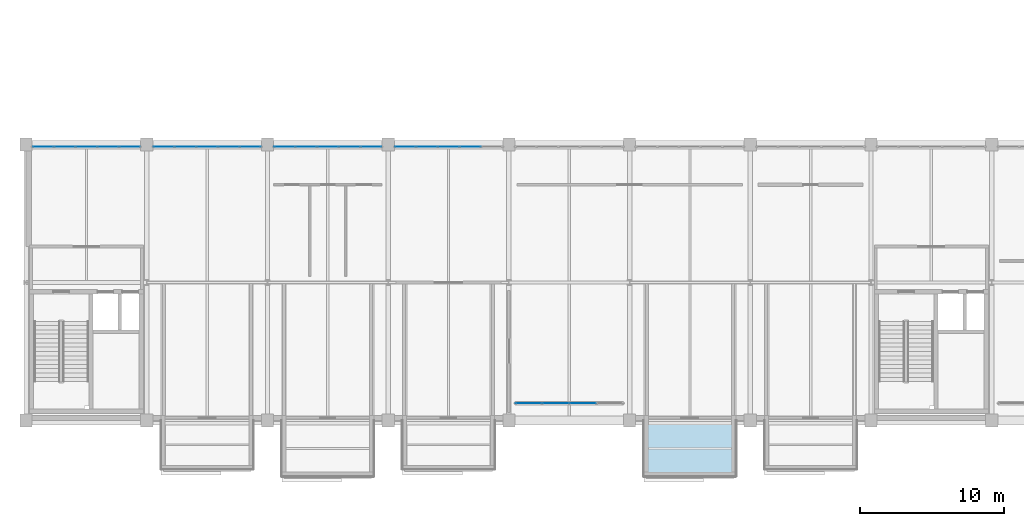
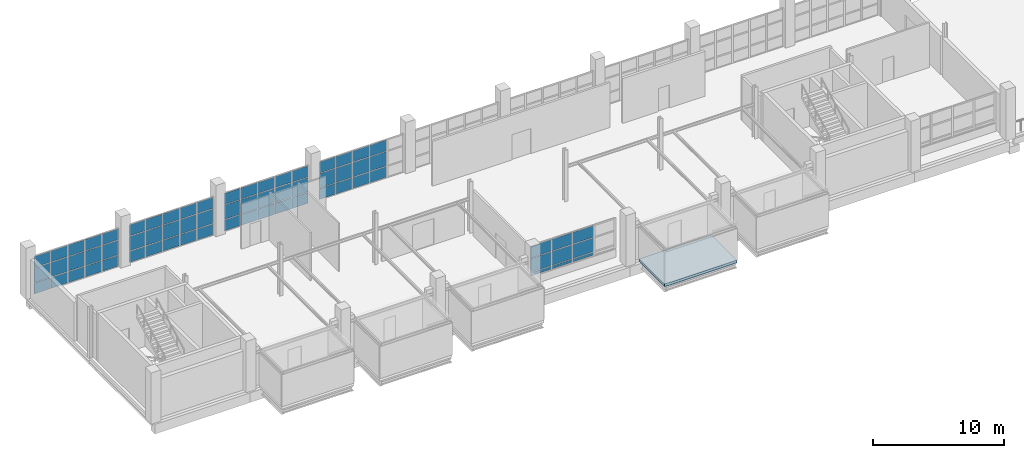
# One storey, part 21 of 29: 66 plates, 1 slab, 5 elements without a shape of their own.
"""IFC4 building model written with IfcOpenShell, lengths in metres."""

from ifc_helpers import new_model, si_unit, direction, frame, origin, origin_2d, place, context, subcontext, project, spatial, polyline, rectangle, outline, extrude, material, layer, layer_set, type_object, element, aggregate, save


model = new_model("IFC4")

# Units and contexts
model_context = context("Model", 3, precision=1e-05, world=origin(), true_north=direction((0.0, 1.0)))
body_context = subcontext(model_context, "Body", "Model", "MODEL_VIEW")
ifc_project = project(units=[si_unit("LENGTHUNIT", "METRE"), si_unit("AREAUNIT", "SQUARE_METRE"), si_unit("VOLUMEUNIT", "CUBIC_METRE"), si_unit("PLANEANGLEUNIT", "RADIAN"), si_unit("MASSUNIT", "GRAM", prefix="KILO")], contexts=[model_context])

# Site, building, storey
site_placement = place(None, origin())
site = spatial("IfcSite", under=ifc_project, at=site_placement, CompositionType="ELEMENT")
building_placement = place(site_placement, origin())
building = spatial("IfcBuilding", under=site, at=building_placement, Name="Veltarok Museum of Natural Sciences", CompositionType="ELEMENT")
storey_placement = place(building_placement, frame((0.0, 0.0, 26.39990234375)))
storey = spatial("IfcBuildingStorey", under=building, at=storey_placement, Name="L05", CompositionType="ELEMENT", Elevation=26.39990234375)

# Slab
ifc_material_1 = material(Name="Concrete C35/45", Category="concrete")
ifc_layer_1 = layer(ifc_material_1, 0.25)
ifc_layer_set_1 = layer_set([ifc_layer_1], Name="Concrete C35/45")
slab_type = type_object("IfcSlabType", Name="Suspended Museum Floor Slab 250", PredefinedType="FLOOR", material=ifc_layer_set_1)
slab_placement = place(storey_placement, frame((0.0, 0.0, -0.25)))
element("IfcSlab", 1, at=slab_placement, inside=storey, type_object=slab_type, Name="Cabinet Box Floor Slab DB-28", PredefinedType="FLOOR", context=body_context, shape_type="SweptSolid", body=[
    extrude(outline(polyline([(74.60009765625, -3.89990234375), (81.0, -3.89990234375), (81.0, 0.0), (74.60009765625, 0.0), (74.60009765625, -3.89990234375)])), origin(), (0.0, 0.0, 1.0), 0.25),
])

# Curtain wall, plates
ifc_material_2 = material(Name="Low-iron triple insulated glass", Category="glass")
curtain_wall_type_1 = type_object("IfcCurtainWallType", Name="Curtain Wall System CW-CAB-L05-A-755x288 (V1 Recessed L05 755x288cm)", PredefinedType="NOTDEFINED", material=ifc_material_2)
curtain_wall_1_placement = place(storey_placement, origin())
curtain_wall_1 = element("IfcCurtainWall", 2, at=curtain_wall_1_placement, inside=storey, type_object=curtain_wall_type_1, Name="Curtain Wall CW-CAB-L05-A-755x288 CW-0009", PredefinedType="NOTDEFINED")
ifc_layer_2 = layer(ifc_material_2, 0.028076171875)
ifc_layer_set_2 = layer_set([ifc_layer_2], Name="Low-iron triple insulated glass")
plate_type = type_object("IfcPlateType", Name="Triple Low-Iron Glazed Vision Panel 28", PredefinedType="CURTAIN_PANEL", material=ifc_layer_set_2)
plate_1_placement = place(storey_placement, frame((66.583740234375, 1.199951171875, 0.800048828125), z_axis=(0.0, 0.0, 1.0), x_axis=(1.0, 0.0, 0.0)))
plate_1 = element("IfcPlate", 3, at=plate_1_placement, type_object=plate_type, Name="CW-CAB-L05-A-755x288 panel 1.1", PredefinedType="CURTAIN_PANEL", context=body_context, shape_type="SweptSolid", body=[
    extrude(rectangle(XDim=1.797607421875, YDim=0.028076171875, at=origin_2d()), origin(), (0.0, 0.0, 1.0), 0.27001953125),
])
plate_2_placement = place(storey_placement, frame((66.583740234375, 1.199951171875, 1.130126953125), z_axis=(0.0, 0.0, 1.0), x_axis=(1.0, 0.0, 0.0)))
plate_2 = element("IfcPlate", 4, at=plate_2_placement, type_object=plate_type, Name="CW-CAB-L05-A-755x288 panel 1.2", PredefinedType="CURTAIN_PANEL", context=body_context, shape_type="SweptSolid", body=[
    extrude(rectangle(XDim=1.797607421875, YDim=0.028076171875, at=origin_2d()), origin(), (0.0, 0.0, 1.0), 1.2900390625),
])
plate_3_placement = place(storey_placement, frame((66.583740234375, 1.199951171875, 2.480224609375), z_axis=(0.0, 0.0, 1.0), x_axis=(1.0, 0.0, 0.0)))
plate_3 = element("IfcPlate", 5, at=plate_3_placement, type_object=plate_type, Name="CW-CAB-L05-A-755x288 panel 1.3", PredefinedType="CURTAIN_PANEL", context=body_context, shape_type="SweptSolid", body=[
    extrude(rectangle(XDim=1.797607421875, YDim=0.028076171875, at=origin_2d()), origin(), (0.0, 0.0, 1.0), 1.0849609375),
])
plate_4_placement = place(storey_placement, frame((68.456298828125, 1.199951171875, 0.800048828125), z_axis=(0.0, 0.0, 1.0), x_axis=(1.0, 0.0, 0.0)))
plate_4 = element("IfcPlate", 6, at=plate_4_placement, type_object=plate_type, Name="CW-CAB-L05-A-755x288 panel 2.1", PredefinedType="CURTAIN_PANEL", context=body_context, shape_type="SweptSolid", body=[
    extrude(rectangle(XDim=1.827392578125, YDim=0.028076171875, at=origin_2d()), origin(), (0.0, 0.0, 1.0), 0.27001953125),
])
plate_5_placement = place(storey_placement, frame((68.456298828125, 1.199951171875, 1.130126953125), z_axis=(0.0, 0.0, 1.0), x_axis=(1.0, 0.0, 0.0)))
plate_5 = element("IfcPlate", 7, at=plate_5_placement, type_object=plate_type, Name="CW-CAB-L05-A-755x288 panel 2.2", PredefinedType="CURTAIN_PANEL", context=body_context, shape_type="SweptSolid", body=[
    extrude(rectangle(XDim=1.827392578125, YDim=0.028076171875, at=origin_2d()), origin(), (0.0, 0.0, 1.0), 1.2900390625),
])
plate_6_placement = place(storey_placement, frame((68.456298828125, 1.199951171875, 2.480224609375), z_axis=(0.0, 0.0, 1.0), x_axis=(1.0, 0.0, 0.0)))
plate_6 = element("IfcPlate", 8, at=plate_6_placement, type_object=plate_type, Name="CW-CAB-L05-A-755x288 panel 2.3", PredefinedType="CURTAIN_PANEL", context=body_context, shape_type="SweptSolid", body=[
    extrude(rectangle(XDim=1.827392578125, YDim=0.028076171875, at=origin_2d()), origin(), (0.0, 0.0, 1.0), 1.0849609375),
])
plate_7_placement = place(storey_placement, frame((70.34375, 1.199951171875, 0.800048828125), z_axis=(0.0, 0.0, 1.0), x_axis=(1.0, 0.0, 0.0)))
plate_7 = element("IfcPlate", 9, at=plate_7_placement, type_object=plate_type, Name="CW-CAB-L05-A-755x288 panel 3.1", PredefinedType="CURTAIN_PANEL", context=body_context, shape_type="SweptSolid", body=[
    extrude(rectangle(XDim=1.827392578125, YDim=0.028076171875, at=origin_2d()), origin(), (0.0, 0.0, 1.0), 0.27001953125),
])
plate_8_placement = place(storey_placement, frame((70.34375, 1.199951171875, 1.130126953125), z_axis=(0.0, 0.0, 1.0), x_axis=(1.0, 0.0, 0.0)))
plate_8 = element("IfcPlate", 10, at=plate_8_placement, type_object=plate_type, Name="CW-CAB-L05-A-755x288 panel 3.2", PredefinedType="CURTAIN_PANEL", context=body_context, shape_type="SweptSolid", body=[
    extrude(rectangle(XDim=1.827392578125, YDim=0.028076171875, at=origin_2d()), origin(), (0.0, 0.0, 1.0), 1.2900390625),
])
plate_9_placement = place(storey_placement, frame((70.34375, 1.199951171875, 2.480224609375), z_axis=(0.0, 0.0, 1.0), x_axis=(1.0, 0.0, 0.0)))
plate_9 = element("IfcPlate", 11, at=plate_9_placement, type_object=plate_type, Name="CW-CAB-L05-A-755x288 panel 3.3", PredefinedType="CURTAIN_PANEL", context=body_context, shape_type="SweptSolid", body=[
    extrude(rectangle(XDim=1.827392578125, YDim=0.028076171875, at=origin_2d()), origin(), (0.0, 0.0, 1.0), 1.0849609375),
])
aggregate(curtain_wall_1, [plate_1, plate_2, plate_3, plate_4, plate_5, plate_6, plate_7, plate_8, plate_9])

curtain_wall_type_2 = type_object("IfcCurtainWallType", Name="Curtain Wall System CW-V1N-L05-755x362 (V1 North Overlook L05 755x362cm)", PredefinedType="NOTDEFINED", material=ifc_material_2)
curtain_wall_2_placement = place(storey_placement, origin())
curtain_wall_2 = element("IfcCurtainWall", 12, at=curtain_wall_2_placement, inside=storey, type_object=curtain_wall_type_2, Name="Curtain Wall CW-V1N-L05-755x362 CW-0011", PredefinedType="NOTDEFINED")
plate_10_placement = place(storey_placement, frame((38.804931640625, 19.050048828125, 0.06005859375), z_axis=(0.0, 0.0, 1.0), x_axis=(-1.0, 0.0, 0.0)))
plate_10 = element("IfcPlate", 13, at=plate_10_placement, type_object=plate_type, Name="CW-V1N-L05-755x362 panel 1.1", PredefinedType="CURTAIN_PANEL", context=body_context, shape_type="SweptSolid", body=[
    extrude(rectangle(XDim=1.419921875, YDim=0.028076171875, at=origin_2d()), origin(), (0.0, 0.0, 1.0), 1.010009765625),
])
plate_11_placement = place(storey_placement, frame((38.804931640625, 19.050048828125, 1.1298828125), z_axis=(0.0, 0.0, 1.0), x_axis=(-1.0, 0.0, 0.0)))
plate_11 = element("IfcPlate", 14, at=plate_11_placement, type_object=plate_type, Name="CW-V1N-L05-755x362 panel 1.2", PredefinedType="CURTAIN_PANEL", context=body_context, shape_type="SweptSolid", body=[
    extrude(rectangle(XDim=1.419921875, YDim=0.028076171875, at=origin_2d()), origin(), (0.0, 0.0, 1.0), 1.340087890625),
])
plate_12_placement = place(storey_placement, frame((38.804931640625, 19.050048828125, 2.5302734375), z_axis=(0.0, 0.0, 1.0), x_axis=(-1.0, 0.0, 0.0)))
plate_12 = element("IfcPlate", 15, at=plate_12_placement, type_object=plate_type, Name="CW-V1N-L05-755x362 panel 1.3", PredefinedType="CURTAIN_PANEL", context=body_context, shape_type="SweptSolid", body=[
    extrude(rectangle(XDim=1.419921875, YDim=0.028076171875, at=origin_2d()), origin(), (0.0, 0.0, 1.0), 1.030029296875),
])
plate_13_placement = place(storey_placement, frame((37.31005859375, 19.050048828125, 0.06005859375), z_axis=(0.0, 0.0, 1.0), x_axis=(-1.0, 0.0, 0.0)))
plate_13 = element("IfcPlate", 16, at=plate_13_placement, type_object=plate_type, Name="CW-V1N-L05-755x362 panel 2.1", PredefinedType="CURTAIN_PANEL", context=body_context, shape_type="SweptSolid", body=[
    extrude(rectangle(XDim=1.449951171875, YDim=0.028076171875, at=origin_2d()), origin(), (0.0, 0.0, 1.0), 1.010009765625),
])
plate_14_placement = place(storey_placement, frame((37.31005859375, 19.050048828125, 1.1298828125), z_axis=(0.0, 0.0, 1.0), x_axis=(-1.0, 0.0, 0.0)))
plate_14 = element("IfcPlate", 17, at=plate_14_placement, type_object=plate_type, Name="CW-V1N-L05-755x362 panel 2.2", PredefinedType="CURTAIN_PANEL", context=body_context, shape_type="SweptSolid", body=[
    extrude(rectangle(XDim=1.449951171875, YDim=0.028076171875, at=origin_2d()), origin(), (0.0, 0.0, 1.0), 1.340087890625),
])
plate_15_placement = place(storey_placement, frame((37.31005859375, 19.050048828125, 2.5302734375), z_axis=(0.0, 0.0, 1.0), x_axis=(-1.0, 0.0, 0.0)))
plate_15 = element("IfcPlate", 18, at=plate_15_placement, type_object=plate_type, Name="CW-V1N-L05-755x362 panel 2.3", PredefinedType="CURTAIN_PANEL", context=body_context, shape_type="SweptSolid", body=[
    extrude(rectangle(XDim=1.449951171875, YDim=0.028076171875, at=origin_2d()), origin(), (0.0, 0.0, 1.0), 1.030029296875),
])
plate_16_placement = place(storey_placement, frame((35.800048828125, 19.050048828125, 0.06005859375), z_axis=(0.0, 0.0, 1.0), x_axis=(-1.0, 0.0, 0.0)))
plate_16 = element("IfcPlate", 19, at=plate_16_placement, type_object=plate_type, Name="CW-V1N-L05-755x362 panel 3.1", PredefinedType="CURTAIN_PANEL", context=body_context, shape_type="SweptSolid", body=[
    extrude(rectangle(XDim=1.449951171875, YDim=0.028076171875, at=origin_2d()), origin(), (0.0, 0.0, 1.0), 1.010009765625),
])
plate_17_placement = place(storey_placement, frame((35.800048828125, 19.050048828125, 1.1298828125), z_axis=(0.0, 0.0, 1.0), x_axis=(-1.0, 0.0, 0.0)))
plate_17 = element("IfcPlate", 20, at=plate_17_placement, type_object=plate_type, Name="CW-V1N-L05-755x362 panel 3.2", PredefinedType="CURTAIN_PANEL", context=body_context, shape_type="SweptSolid", body=[
    extrude(rectangle(XDim=1.449951171875, YDim=0.028076171875, at=origin_2d()), origin(), (0.0, 0.0, 1.0), 1.340087890625),
])
plate_18_placement = place(storey_placement, frame((35.800048828125, 19.050048828125, 2.5302734375), z_axis=(0.0, 0.0, 1.0), x_axis=(-1.0, 0.0, 0.0)))
plate_18 = element("IfcPlate", 21, at=plate_18_placement, type_object=plate_type, Name="CW-V1N-L05-755x362 panel 3.3", PredefinedType="CURTAIN_PANEL", context=body_context, shape_type="SweptSolid", body=[
    extrude(rectangle(XDim=1.449951171875, YDim=0.028076171875, at=origin_2d()), origin(), (0.0, 0.0, 1.0), 1.030029296875),
])
plate_19_placement = place(storey_placement, frame((34.2900390625, 19.050048828125, 0.06005859375), z_axis=(0.0, 0.0, 1.0), x_axis=(-1.0, 0.0, 0.0)))
plate_19 = element("IfcPlate", 22, at=plate_19_placement, type_object=plate_type, Name="CW-V1N-L05-755x362 panel 4.1", PredefinedType="CURTAIN_PANEL", context=body_context, shape_type="SweptSolid", body=[
    extrude(rectangle(XDim=1.449951171875, YDim=0.028076171875, at=origin_2d()), origin(), (0.0, 0.0, 1.0), 1.010009765625),
])
plate_20_placement = place(storey_placement, frame((34.2900390625, 19.050048828125, 1.1298828125), z_axis=(0.0, 0.0, 1.0), x_axis=(-1.0, 0.0, 0.0)))
plate_20 = element("IfcPlate", 23, at=plate_20_placement, type_object=plate_type, Name="CW-V1N-L05-755x362 panel 4.2", PredefinedType="CURTAIN_PANEL", context=body_context, shape_type="SweptSolid", body=[
    extrude(rectangle(XDim=1.449951171875, YDim=0.028076171875, at=origin_2d()), origin(), (0.0, 0.0, 1.0), 1.340087890625),
])
plate_21_placement = place(storey_placement, frame((34.2900390625, 19.050048828125, 2.5302734375), z_axis=(0.0, 0.0, 1.0), x_axis=(-1.0, 0.0, 0.0)))
plate_21 = element("IfcPlate", 24, at=plate_21_placement, type_object=plate_type, Name="CW-V1N-L05-755x362 panel 4.3", PredefinedType="CURTAIN_PANEL", context=body_context, shape_type="SweptSolid", body=[
    extrude(rectangle(XDim=1.449951171875, YDim=0.028076171875, at=origin_2d()), origin(), (0.0, 0.0, 1.0), 1.030029296875),
])
plate_22_placement = place(storey_placement, frame((32.794921875, 19.050048828125, 0.06005859375), z_axis=(0.0, 0.0, 1.0), x_axis=(-1.0, 0.0, 0.0)))
plate_22 = element("IfcPlate", 25, at=plate_22_placement, type_object=plate_type, Name="CW-V1N-L05-755x362 panel 5.1", PredefinedType="CURTAIN_PANEL", context=body_context, shape_type="SweptSolid", body=[
    extrude(rectangle(XDim=1.419921875, YDim=0.028076171875, at=origin_2d()), origin(), (0.0, 0.0, 1.0), 1.010009765625),
])
plate_23_placement = place(storey_placement, frame((32.794921875, 19.050048828125, 1.1298828125), z_axis=(0.0, 0.0, 1.0), x_axis=(-1.0, 0.0, 0.0)))
plate_23 = element("IfcPlate", 26, at=plate_23_placement, type_object=plate_type, Name="CW-V1N-L05-755x362 panel 5.2", PredefinedType="CURTAIN_PANEL", context=body_context, shape_type="SweptSolid", body=[
    extrude(rectangle(XDim=1.419921875, YDim=0.028076171875, at=origin_2d()), origin(), (0.0, 0.0, 1.0), 1.340087890625),
])
plate_24_placement = place(storey_placement, frame((32.794921875, 19.050048828125, 2.5302734375), z_axis=(0.0, 0.0, 1.0), x_axis=(-1.0, 0.0, 0.0)))
plate_24 = element("IfcPlate", 27, at=plate_24_placement, type_object=plate_type, Name="CW-V1N-L05-755x362 panel 5.3", PredefinedType="CURTAIN_PANEL", context=body_context, shape_type="SweptSolid", body=[
    extrude(rectangle(XDim=1.419921875, YDim=0.028076171875, at=origin_2d()), origin(), (0.0, 0.0, 1.0), 1.030029296875),
])
aggregate(curtain_wall_2, [plate_10, plate_11, plate_12, plate_13, plate_14, plate_15, plate_16, plate_17, plate_18, plate_19, plate_20, plate_21, plate_22, plate_23, plate_24])

curtain_wall_3_placement = place(storey_placement, origin())
curtain_wall_3 = element("IfcCurtainWall", 28, at=curtain_wall_3_placement, inside=storey, type_object=curtain_wall_type_2, Name="Curtain Wall CW-V1N-L05-755x362 CW-0012", PredefinedType="NOTDEFINED")
plate_25_placement = place(storey_placement, frame((47.205078125, 19.050048828125, 0.06005859375), z_axis=(0.0, 0.0, 1.0), x_axis=(-1.0, 0.0, 0.0)))
plate_25 = element("IfcPlate", 29, at=plate_25_placement, type_object=plate_type, Name="CW-V1N-L05-755x362 panel 1.1", PredefinedType="CURTAIN_PANEL", context=body_context, shape_type="SweptSolid", body=[
    extrude(rectangle(XDim=1.419921875, YDim=0.028076171875, at=origin_2d()), origin(), (0.0, 0.0, 1.0), 1.010009765625),
])
plate_26_placement = place(storey_placement, frame((47.205078125, 19.050048828125, 1.1298828125), z_axis=(0.0, 0.0, 1.0), x_axis=(-1.0, 0.0, 0.0)))
plate_26 = element("IfcPlate", 30, at=plate_26_placement, type_object=plate_type, Name="CW-V1N-L05-755x362 panel 1.2", PredefinedType="CURTAIN_PANEL", context=body_context, shape_type="SweptSolid", body=[
    extrude(rectangle(XDim=1.419921875, YDim=0.028076171875, at=origin_2d()), origin(), (0.0, 0.0, 1.0), 1.340087890625),
])
plate_27_placement = place(storey_placement, frame((47.205078125, 19.050048828125, 2.5302734375), z_axis=(0.0, 0.0, 1.0), x_axis=(-1.0, 0.0, 0.0)))
plate_27 = element("IfcPlate", 31, at=plate_27_placement, type_object=plate_type, Name="CW-V1N-L05-755x362 panel 1.3", PredefinedType="CURTAIN_PANEL", context=body_context, shape_type="SweptSolid", body=[
    extrude(rectangle(XDim=1.419921875, YDim=0.028076171875, at=origin_2d()), origin(), (0.0, 0.0, 1.0), 1.030029296875),
])
plate_28_placement = place(storey_placement, frame((45.7099609375, 19.050048828125, 0.06005859375), z_axis=(0.0, 0.0, 1.0), x_axis=(-1.0, 0.0, 0.0)))
plate_28 = element("IfcPlate", 32, at=plate_28_placement, type_object=plate_type, Name="CW-V1N-L05-755x362 panel 2.1", PredefinedType="CURTAIN_PANEL", context=body_context, shape_type="SweptSolid", body=[
    extrude(rectangle(XDim=1.449951171875, YDim=0.028076171875, at=origin_2d()), origin(), (0.0, 0.0, 1.0), 1.010009765625),
])
plate_29_placement = place(storey_placement, frame((45.7099609375, 19.050048828125, 1.1298828125), z_axis=(0.0, 0.0, 1.0), x_axis=(-1.0, 0.0, 0.0)))
plate_29 = element("IfcPlate", 33, at=plate_29_placement, type_object=plate_type, Name="CW-V1N-L05-755x362 panel 2.2", PredefinedType="CURTAIN_PANEL", context=body_context, shape_type="SweptSolid", body=[
    extrude(rectangle(XDim=1.449951171875, YDim=0.028076171875, at=origin_2d()), origin(), (0.0, 0.0, 1.0), 1.340087890625),
])
plate_30_placement = place(storey_placement, frame((45.7099609375, 19.050048828125, 2.5302734375), z_axis=(0.0, 0.0, 1.0), x_axis=(-1.0, 0.0, 0.0)))
plate_30 = element("IfcPlate", 34, at=plate_30_placement, type_object=plate_type, Name="CW-V1N-L05-755x362 panel 2.3", PredefinedType="CURTAIN_PANEL", context=body_context, shape_type="SweptSolid", body=[
    extrude(rectangle(XDim=1.449951171875, YDim=0.028076171875, at=origin_2d()), origin(), (0.0, 0.0, 1.0), 1.030029296875),
])
plate_31_placement = place(storey_placement, frame((44.199951171875, 19.050048828125, 0.06005859375), z_axis=(0.0, 0.0, 1.0), x_axis=(-1.0, 0.0, 0.0)))
plate_31 = element("IfcPlate", 35, at=plate_31_placement, type_object=plate_type, Name="CW-V1N-L05-755x362 panel 3.1", PredefinedType="CURTAIN_PANEL", context=body_context, shape_type="SweptSolid", body=[
    extrude(rectangle(XDim=1.449951171875, YDim=0.028076171875, at=origin_2d()), origin(), (0.0, 0.0, 1.0), 1.010009765625),
])
plate_32_placement = place(storey_placement, frame((44.199951171875, 19.050048828125, 1.1298828125), z_axis=(0.0, 0.0, 1.0), x_axis=(-1.0, 0.0, 0.0)))
plate_32 = element("IfcPlate", 36, at=plate_32_placement, type_object=plate_type, Name="CW-V1N-L05-755x362 panel 3.2", PredefinedType="CURTAIN_PANEL", context=body_context, shape_type="SweptSolid", body=[
    extrude(rectangle(XDim=1.449951171875, YDim=0.028076171875, at=origin_2d()), origin(), (0.0, 0.0, 1.0), 1.340087890625),
])
plate_33_placement = place(storey_placement, frame((44.199951171875, 19.050048828125, 2.5302734375), z_axis=(0.0, 0.0, 1.0), x_axis=(-1.0, 0.0, 0.0)))
plate_33 = element("IfcPlate", 37, at=plate_33_placement, type_object=plate_type, Name="CW-V1N-L05-755x362 panel 3.3", PredefinedType="CURTAIN_PANEL", context=body_context, shape_type="SweptSolid", body=[
    extrude(rectangle(XDim=1.449951171875, YDim=0.028076171875, at=origin_2d()), origin(), (0.0, 0.0, 1.0), 1.030029296875),
])
plate_34_placement = place(storey_placement, frame((42.68994140625, 19.050048828125, 0.06005859375), z_axis=(0.0, 0.0, 1.0), x_axis=(-1.0, 0.0, 0.0)))
plate_34 = element("IfcPlate", 38, at=plate_34_placement, type_object=plate_type, Name="CW-V1N-L05-755x362 panel 4.1", PredefinedType="CURTAIN_PANEL", context=body_context, shape_type="SweptSolid", body=[
    extrude(rectangle(XDim=1.449951171875, YDim=0.028076171875, at=origin_2d()), origin(), (0.0, 0.0, 1.0), 1.010009765625),
])
plate_35_placement = place(storey_placement, frame((42.68994140625, 19.050048828125, 1.1298828125), z_axis=(0.0, 0.0, 1.0), x_axis=(-1.0, 0.0, 0.0)))
plate_35 = element("IfcPlate", 39, at=plate_35_placement, type_object=plate_type, Name="CW-V1N-L05-755x362 panel 4.2", PredefinedType="CURTAIN_PANEL", context=body_context, shape_type="SweptSolid", body=[
    extrude(rectangle(XDim=1.449951171875, YDim=0.028076171875, at=origin_2d()), origin(), (0.0, 0.0, 1.0), 1.340087890625),
])
plate_36_placement = place(storey_placement, frame((42.68994140625, 19.050048828125, 2.5302734375), z_axis=(0.0, 0.0, 1.0), x_axis=(-1.0, 0.0, 0.0)))
plate_36 = element("IfcPlate", 40, at=plate_36_placement, type_object=plate_type, Name="CW-V1N-L05-755x362 panel 4.3", PredefinedType="CURTAIN_PANEL", context=body_context, shape_type="SweptSolid", body=[
    extrude(rectangle(XDim=1.449951171875, YDim=0.028076171875, at=origin_2d()), origin(), (0.0, 0.0, 1.0), 1.030029296875),
])
plate_37_placement = place(storey_placement, frame((41.195068359375, 19.050048828125, 0.06005859375), z_axis=(0.0, 0.0, 1.0), x_axis=(-1.0, 0.0, 0.0)))
plate_37 = element("IfcPlate", 41, at=plate_37_placement, type_object=plate_type, Name="CW-V1N-L05-755x362 panel 5.1", PredefinedType="CURTAIN_PANEL", context=body_context, shape_type="SweptSolid", body=[
    extrude(rectangle(XDim=1.419921875, YDim=0.028076171875, at=origin_2d()), origin(), (0.0, 0.0, 1.0), 1.010009765625),
])
plate_38_placement = place(storey_placement, frame((41.195068359375, 19.050048828125, 1.1298828125), z_axis=(0.0, 0.0, 1.0), x_axis=(-1.0, 0.0, 0.0)))
plate_38 = element("IfcPlate", 42, at=plate_38_placement, type_object=plate_type, Name="CW-V1N-L05-755x362 panel 5.2", PredefinedType="CURTAIN_PANEL", context=body_context, shape_type="SweptSolid", body=[
    extrude(rectangle(XDim=1.419921875, YDim=0.028076171875, at=origin_2d()), origin(), (0.0, 0.0, 1.0), 1.340087890625),
])
plate_39_placement = place(storey_placement, frame((41.195068359375, 19.050048828125, 2.5302734375), z_axis=(0.0, 0.0, 1.0), x_axis=(-1.0, 0.0, 0.0)))
plate_39 = element("IfcPlate", 43, at=plate_39_placement, type_object=plate_type, Name="CW-V1N-L05-755x362 panel 5.3", PredefinedType="CURTAIN_PANEL", context=body_context, shape_type="SweptSolid", body=[
    extrude(rectangle(XDim=1.419921875, YDim=0.028076171875, at=origin_2d()), origin(), (0.0, 0.0, 1.0), 1.030029296875),
])
aggregate(curtain_wall_3, [plate_25, plate_26, plate_27, plate_28, plate_29, plate_30, plate_31, plate_32, plate_33, plate_34, plate_35, plate_36, plate_37, plate_38, plate_39])

curtain_wall_4_placement = place(storey_placement, origin())
curtain_wall_4 = element("IfcCurtainWall", 44, at=curtain_wall_4_placement, inside=storey, type_object=curtain_wall_type_2, Name="Curtain Wall CW-V1N-L05-755x362 CW-0013", PredefinedType="NOTDEFINED")
plate_40_placement = place(storey_placement, frame((55.60498046875, 19.050048828125, 0.06005859375), z_axis=(0.0, 0.0, 1.0), x_axis=(-1.0, 0.0, 0.0)))
plate_40 = element("IfcPlate", 45, at=plate_40_placement, type_object=plate_type, Name="CW-V1N-L05-755x362 panel 1.1", PredefinedType="CURTAIN_PANEL", context=body_context, shape_type="SweptSolid", body=[
    extrude(rectangle(XDim=1.419921875, YDim=0.028076171875, at=origin_2d()), origin(), (0.0, 0.0, 1.0), 1.010009765625),
])
plate_41_placement = place(storey_placement, frame((55.60498046875, 19.050048828125, 1.1298828125), z_axis=(0.0, 0.0, 1.0), x_axis=(-1.0, 0.0, 0.0)))
plate_41 = element("IfcPlate", 46, at=plate_41_placement, type_object=plate_type, Name="CW-V1N-L05-755x362 panel 1.2", PredefinedType="CURTAIN_PANEL", context=body_context, shape_type="SweptSolid", body=[
    extrude(rectangle(XDim=1.419921875, YDim=0.028076171875, at=origin_2d()), origin(), (0.0, 0.0, 1.0), 1.340087890625),
])
plate_42_placement = place(storey_placement, frame((55.60498046875, 19.050048828125, 2.5302734375), z_axis=(0.0, 0.0, 1.0), x_axis=(-1.0, 0.0, 0.0)))
plate_42 = element("IfcPlate", 47, at=plate_42_placement, type_object=plate_type, Name="CW-V1N-L05-755x362 panel 1.3", PredefinedType="CURTAIN_PANEL", context=body_context, shape_type="SweptSolid", body=[
    extrude(rectangle(XDim=1.419921875, YDim=0.028076171875, at=origin_2d()), origin(), (0.0, 0.0, 1.0), 1.030029296875),
])
plate_43_placement = place(storey_placement, frame((54.110107421875, 19.050048828125, 0.06005859375), z_axis=(0.0, 0.0, 1.0), x_axis=(-1.0, 0.0, 0.0)))
plate_43 = element("IfcPlate", 48, at=plate_43_placement, type_object=plate_type, Name="CW-V1N-L05-755x362 panel 2.1", PredefinedType="CURTAIN_PANEL", context=body_context, shape_type="SweptSolid", body=[
    extrude(rectangle(XDim=1.449951171875, YDim=0.028076171875, at=origin_2d()), origin(), (0.0, 0.0, 1.0), 1.010009765625),
])
plate_44_placement = place(storey_placement, frame((54.110107421875, 19.050048828125, 1.1298828125), z_axis=(0.0, 0.0, 1.0), x_axis=(-1.0, 0.0, 0.0)))
plate_44 = element("IfcPlate", 49, at=plate_44_placement, type_object=plate_type, Name="CW-V1N-L05-755x362 panel 2.2", PredefinedType="CURTAIN_PANEL", context=body_context, shape_type="SweptSolid", body=[
    extrude(rectangle(XDim=1.449951171875, YDim=0.028076171875, at=origin_2d()), origin(), (0.0, 0.0, 1.0), 1.340087890625),
])
plate_45_placement = place(storey_placement, frame((54.110107421875, 19.050048828125, 2.5302734375), z_axis=(0.0, 0.0, 1.0), x_axis=(-1.0, 0.0, 0.0)))
plate_45 = element("IfcPlate", 50, at=plate_45_placement, type_object=plate_type, Name="CW-V1N-L05-755x362 panel 2.3", PredefinedType="CURTAIN_PANEL", context=body_context, shape_type="SweptSolid", body=[
    extrude(rectangle(XDim=1.449951171875, YDim=0.028076171875, at=origin_2d()), origin(), (0.0, 0.0, 1.0), 1.030029296875),
])
plate_46_placement = place(storey_placement, frame((52.60009765625, 19.050048828125, 0.06005859375), z_axis=(0.0, 0.0, 1.0), x_axis=(-1.0, 0.0, 0.0)))
plate_46 = element("IfcPlate", 51, at=plate_46_placement, type_object=plate_type, Name="CW-V1N-L05-755x362 panel 3.1", PredefinedType="CURTAIN_PANEL", context=body_context, shape_type="SweptSolid", body=[
    extrude(rectangle(XDim=1.449951171875, YDim=0.028076171875, at=origin_2d()), origin(), (0.0, 0.0, 1.0), 1.010009765625),
])
plate_47_placement = place(storey_placement, frame((52.60009765625, 19.050048828125, 1.1298828125), z_axis=(0.0, 0.0, 1.0), x_axis=(-1.0, 0.0, 0.0)))
plate_47 = element("IfcPlate", 52, at=plate_47_placement, type_object=plate_type, Name="CW-V1N-L05-755x362 panel 3.2", PredefinedType="CURTAIN_PANEL", context=body_context, shape_type="SweptSolid", body=[
    extrude(rectangle(XDim=1.449951171875, YDim=0.028076171875, at=origin_2d()), origin(), (0.0, 0.0, 1.0), 1.340087890625),
])
plate_48_placement = place(storey_placement, frame((52.60009765625, 19.050048828125, 2.5302734375), z_axis=(0.0, 0.0, 1.0), x_axis=(-1.0, 0.0, 0.0)))
plate_48 = element("IfcPlate", 53, at=plate_48_placement, type_object=plate_type, Name="CW-V1N-L05-755x362 panel 3.3", PredefinedType="CURTAIN_PANEL", context=body_context, shape_type="SweptSolid", body=[
    extrude(rectangle(XDim=1.449951171875, YDim=0.028076171875, at=origin_2d()), origin(), (0.0, 0.0, 1.0), 1.030029296875),
])
plate_49_placement = place(storey_placement, frame((51.090087890625, 19.050048828125, 0.06005859375), z_axis=(0.0, 0.0, 1.0), x_axis=(-1.0, 0.0, 0.0)))
plate_49 = element("IfcPlate", 54, at=plate_49_placement, type_object=plate_type, Name="CW-V1N-L05-755x362 panel 4.1", PredefinedType="CURTAIN_PANEL", context=body_context, shape_type="SweptSolid", body=[
    extrude(rectangle(XDim=1.449951171875, YDim=0.028076171875, at=origin_2d()), origin(), (0.0, 0.0, 1.0), 1.010009765625),
])
plate_50_placement = place(storey_placement, frame((51.090087890625, 19.050048828125, 1.1298828125), z_axis=(0.0, 0.0, 1.0), x_axis=(-1.0, 0.0, 0.0)))
plate_50 = element("IfcPlate", 55, at=plate_50_placement, type_object=plate_type, Name="CW-V1N-L05-755x362 panel 4.2", PredefinedType="CURTAIN_PANEL", context=body_context, shape_type="SweptSolid", body=[
    extrude(rectangle(XDim=1.449951171875, YDim=0.028076171875, at=origin_2d()), origin(), (0.0, 0.0, 1.0), 1.340087890625),
])
plate_51_placement = place(storey_placement, frame((51.090087890625, 19.050048828125, 2.5302734375), z_axis=(0.0, 0.0, 1.0), x_axis=(-1.0, 0.0, 0.0)))
plate_51 = element("IfcPlate", 56, at=plate_51_placement, type_object=plate_type, Name="CW-V1N-L05-755x362 panel 4.3", PredefinedType="CURTAIN_PANEL", context=body_context, shape_type="SweptSolid", body=[
    extrude(rectangle(XDim=1.449951171875, YDim=0.028076171875, at=origin_2d()), origin(), (0.0, 0.0, 1.0), 1.030029296875),
])
plate_52_placement = place(storey_placement, frame((49.594970703125, 19.050048828125, 0.06005859375), z_axis=(0.0, 0.0, 1.0), x_axis=(-1.0, 0.0, 0.0)))
plate_52 = element("IfcPlate", 57, at=plate_52_placement, type_object=plate_type, Name="CW-V1N-L05-755x362 panel 5.1", PredefinedType="CURTAIN_PANEL", context=body_context, shape_type="SweptSolid", body=[
    extrude(rectangle(XDim=1.419921875, YDim=0.028076171875, at=origin_2d()), origin(), (0.0, 0.0, 1.0), 1.010009765625),
])
plate_53_placement = place(storey_placement, frame((49.594970703125, 19.050048828125, 1.1298828125), z_axis=(0.0, 0.0, 1.0), x_axis=(-1.0, 0.0, 0.0)))
plate_53 = element("IfcPlate", 58, at=plate_53_placement, type_object=plate_type, Name="CW-V1N-L05-755x362 panel 5.2", PredefinedType="CURTAIN_PANEL", context=body_context, shape_type="SweptSolid", body=[
    extrude(rectangle(XDim=1.419921875, YDim=0.028076171875, at=origin_2d()), origin(), (0.0, 0.0, 1.0), 1.340087890625),
])
plate_54_placement = place(storey_placement, frame((49.594970703125, 19.050048828125, 2.5302734375), z_axis=(0.0, 0.0, 1.0), x_axis=(-1.0, 0.0, 0.0)))
plate_54 = element("IfcPlate", 59, at=plate_54_placement, type_object=plate_type, Name="CW-V1N-L05-755x362 panel 5.3", PredefinedType="CURTAIN_PANEL", context=body_context, shape_type="SweptSolid", body=[
    extrude(rectangle(XDim=1.419921875, YDim=0.028076171875, at=origin_2d()), origin(), (0.0, 0.0, 1.0), 1.030029296875),
])
aggregate(curtain_wall_4, [plate_40, plate_41, plate_42, plate_43, plate_44, plate_45, plate_46, plate_47, plate_48, plate_49, plate_50, plate_51, plate_52, plate_53, plate_54])

curtain_wall_5_placement = place(storey_placement, origin())
curtain_wall_5 = element("IfcCurtainWall", 60, at=curtain_wall_5_placement, inside=storey, type_object=curtain_wall_type_2, Name="Curtain Wall CW-V1N-L05-755x362 CW-0014", PredefinedType="NOTDEFINED")
plate_55_placement = place(storey_placement, frame((62.510009765625, 19.050048828125, 0.06005859375), z_axis=(0.0, 0.0, 1.0), x_axis=(-1.0, 0.0, 0.0)))
plate_55 = element("IfcPlate", 61, at=plate_55_placement, type_object=plate_type, Name="CW-V1N-L05-755x362 panel 2.1", PredefinedType="CURTAIN_PANEL", context=body_context, shape_type="SweptSolid", body=[
    extrude(rectangle(XDim=1.449951171875, YDim=0.028076171875, at=origin_2d()), origin(), (0.0, 0.0, 1.0), 1.010009765625),
])
plate_56_placement = place(storey_placement, frame((62.510009765625, 19.050048828125, 1.1298828125), z_axis=(0.0, 0.0, 1.0), x_axis=(-1.0, 0.0, 0.0)))
plate_56 = element("IfcPlate", 62, at=plate_56_placement, type_object=plate_type, Name="CW-V1N-L05-755x362 panel 2.2", PredefinedType="CURTAIN_PANEL", context=body_context, shape_type="SweptSolid", body=[
    extrude(rectangle(XDim=1.449951171875, YDim=0.028076171875, at=origin_2d()), origin(), (0.0, 0.0, 1.0), 1.340087890625),
])
plate_57_placement = place(storey_placement, frame((62.510009765625, 19.050048828125, 2.5302734375), z_axis=(0.0, 0.0, 1.0), x_axis=(-1.0, 0.0, 0.0)))
plate_57 = element("IfcPlate", 63, at=plate_57_placement, type_object=plate_type, Name="CW-V1N-L05-755x362 panel 2.3", PredefinedType="CURTAIN_PANEL", context=body_context, shape_type="SweptSolid", body=[
    extrude(rectangle(XDim=1.449951171875, YDim=0.028076171875, at=origin_2d()), origin(), (0.0, 0.0, 1.0), 1.030029296875),
])
plate_58_placement = place(storey_placement, frame((61.0, 19.050048828125, 0.06005859375), z_axis=(0.0, 0.0, 1.0), x_axis=(-1.0, 0.0, 0.0)))
plate_58 = element("IfcPlate", 64, at=plate_58_placement, type_object=plate_type, Name="CW-V1N-L05-755x362 panel 3.1", PredefinedType="CURTAIN_PANEL", context=body_context, shape_type="SweptSolid", body=[
    extrude(rectangle(XDim=1.449951171875, YDim=0.028076171875, at=origin_2d()), origin(), (0.0, 0.0, 1.0), 1.010009765625),
])
plate_59_placement = place(storey_placement, frame((61.0, 19.050048828125, 1.1298828125), z_axis=(0.0, 0.0, 1.0), x_axis=(-1.0, 0.0, 0.0)))
plate_59 = element("IfcPlate", 65, at=plate_59_placement, type_object=plate_type, Name="CW-V1N-L05-755x362 panel 3.2", PredefinedType="CURTAIN_PANEL", context=body_context, shape_type="SweptSolid", body=[
    extrude(rectangle(XDim=1.449951171875, YDim=0.028076171875, at=origin_2d()), origin(), (0.0, 0.0, 1.0), 1.340087890625),
])
plate_60_placement = place(storey_placement, frame((61.0, 19.050048828125, 2.5302734375), z_axis=(0.0, 0.0, 1.0), x_axis=(-1.0, 0.0, 0.0)))
plate_60 = element("IfcPlate", 66, at=plate_60_placement, type_object=plate_type, Name="CW-V1N-L05-755x362 panel 3.3", PredefinedType="CURTAIN_PANEL", context=body_context, shape_type="SweptSolid", body=[
    extrude(rectangle(XDim=1.449951171875, YDim=0.028076171875, at=origin_2d()), origin(), (0.0, 0.0, 1.0), 1.030029296875),
])
plate_61_placement = place(storey_placement, frame((59.489990234375, 19.050048828125, 0.06005859375), z_axis=(0.0, 0.0, 1.0), x_axis=(-1.0, 0.0, 0.0)))
plate_61 = element("IfcPlate", 67, at=plate_61_placement, type_object=plate_type, Name="CW-V1N-L05-755x362 panel 4.1", PredefinedType="CURTAIN_PANEL", context=body_context, shape_type="SweptSolid", body=[
    extrude(rectangle(XDim=1.449951171875, YDim=0.028076171875, at=origin_2d()), origin(), (0.0, 0.0, 1.0), 1.010009765625),
])
plate_62_placement = place(storey_placement, frame((59.489990234375, 19.050048828125, 1.1298828125), z_axis=(0.0, 0.0, 1.0), x_axis=(-1.0, 0.0, 0.0)))
plate_62 = element("IfcPlate", 68, at=plate_62_placement, type_object=plate_type, Name="CW-V1N-L05-755x362 panel 4.2", PredefinedType="CURTAIN_PANEL", context=body_context, shape_type="SweptSolid", body=[
    extrude(rectangle(XDim=1.449951171875, YDim=0.028076171875, at=origin_2d()), origin(), (0.0, 0.0, 1.0), 1.340087890625),
])
plate_63_placement = place(storey_placement, frame((59.489990234375, 19.050048828125, 2.5302734375), z_axis=(0.0, 0.0, 1.0), x_axis=(-1.0, 0.0, 0.0)))
plate_63 = element("IfcPlate", 69, at=plate_63_placement, type_object=plate_type, Name="CW-V1N-L05-755x362 panel 4.3", PredefinedType="CURTAIN_PANEL", context=body_context, shape_type="SweptSolid", body=[
    extrude(rectangle(XDim=1.449951171875, YDim=0.028076171875, at=origin_2d()), origin(), (0.0, 0.0, 1.0), 1.030029296875),
])
plate_64_placement = place(storey_placement, frame((57.9951171875, 19.050048828125, 0.06005859375), z_axis=(0.0, 0.0, 1.0), x_axis=(-1.0, 0.0, 0.0)))
plate_64 = element("IfcPlate", 70, at=plate_64_placement, type_object=plate_type, Name="CW-V1N-L05-755x362 panel 5.1", PredefinedType="CURTAIN_PANEL", context=body_context, shape_type="SweptSolid", body=[
    extrude(rectangle(XDim=1.419921875, YDim=0.028076171875, at=origin_2d()), origin(), (0.0, 0.0, 1.0), 1.010009765625),
])
plate_65_placement = place(storey_placement, frame((57.9951171875, 19.050048828125, 1.1298828125), z_axis=(0.0, 0.0, 1.0), x_axis=(-1.0, 0.0, 0.0)))
plate_65 = element("IfcPlate", 71, at=plate_65_placement, type_object=plate_type, Name="CW-V1N-L05-755x362 panel 5.2", PredefinedType="CURTAIN_PANEL", context=body_context, shape_type="SweptSolid", body=[
    extrude(rectangle(XDim=1.419921875, YDim=0.028076171875, at=origin_2d()), origin(), (0.0, 0.0, 1.0), 1.340087890625),
])
plate_66_placement = place(storey_placement, frame((57.9951171875, 19.050048828125, 2.5302734375), z_axis=(0.0, 0.0, 1.0), x_axis=(-1.0, 0.0, 0.0)))
plate_66 = element("IfcPlate", 72, at=plate_66_placement, type_object=plate_type, Name="CW-V1N-L05-755x362 panel 5.3", PredefinedType="CURTAIN_PANEL", context=body_context, shape_type="SweptSolid", body=[
    extrude(rectangle(XDim=1.419921875, YDim=0.028076171875, at=origin_2d()), origin(), (0.0, 0.0, 1.0), 1.030029296875),
])
aggregate(curtain_wall_5, [plate_55, plate_56, plate_57, plate_58, plate_59, plate_60, plate_61, plate_62, plate_63, plate_64, plate_65, plate_66])

save(model, "model.ifc")
